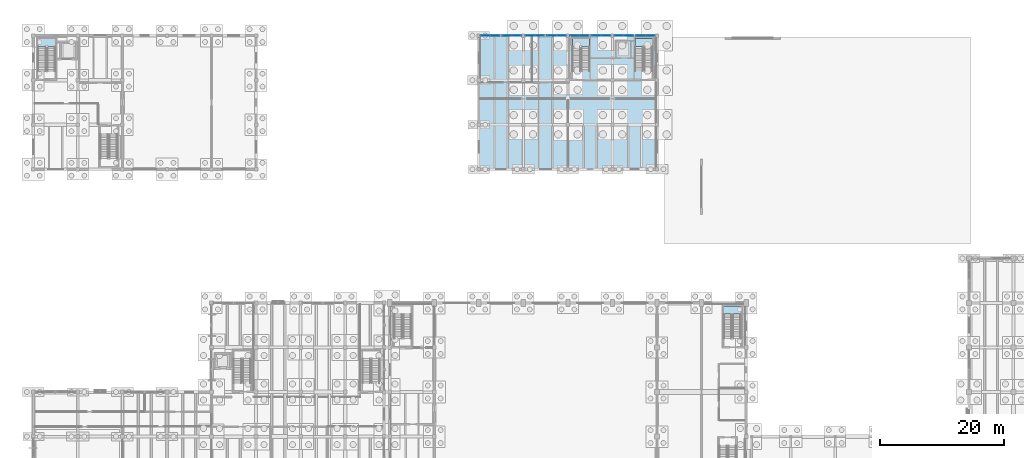
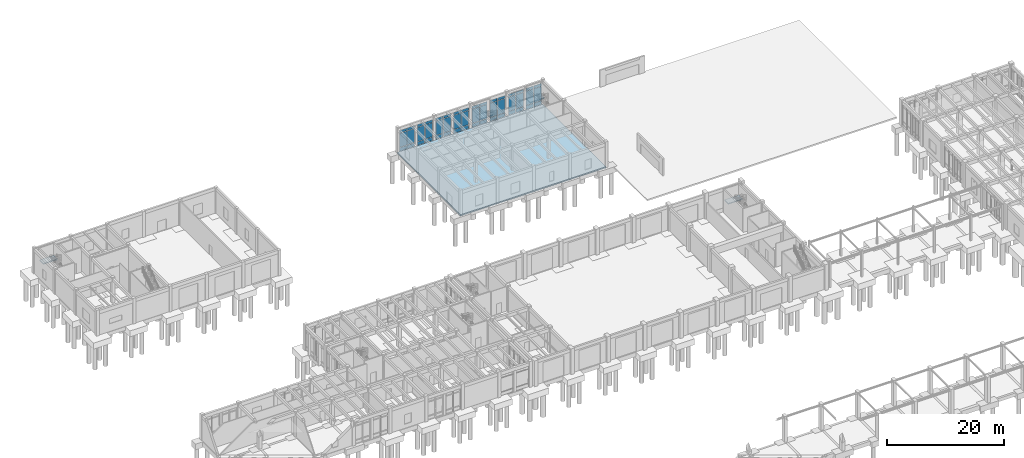
# One storey, part 55 of 93: 48 plates, 5 slabs, 12 elements without a shape of their own.
"""IFC4 building model written with IfcOpenShell, lengths in metres."""

from ifc_helpers import new_model, si_unit, direction, frame, origin, origin_2d, place, context, subcontext, project, spatial, polyline, rectangle, outline, extrude, material, layer, layer_set, type_object, element, aggregate, save


model = new_model("IFC4")

# Units and contexts
model_context = context("Model", 3, precision=1e-05, world=origin(), true_north=direction((0.0, 1.0)))
body_context = subcontext(model_context, "Body", "Model", "MODEL_VIEW")
ifc_project = project(units=[si_unit("LENGTHUNIT", "METRE"), si_unit("AREAUNIT", "SQUARE_METRE"), si_unit("VOLUMEUNIT", "CUBIC_METRE"), si_unit("PLANEANGLEUNIT", "RADIAN"), si_unit("MASSUNIT", "GRAM", prefix="KILO")], contexts=[model_context])

# Site, building, storey
site_placement = place(None, origin())
site = spatial("IfcSite", under=ifc_project, at=site_placement, CompositionType="ELEMENT")
building_placement = place(site_placement, origin())
building = spatial("IfcBuilding", under=site, at=building_placement, Name="Koriwan Promenade Central Fire Station", CompositionType="ELEMENT")
storey_placement = place(building_placement, origin())
storey = spatial("IfcBuildingStorey", under=building, at=storey_placement, Name="L00", CompositionType="ELEMENT", Elevation=0.0)

# Slab
ifc_material_1 = material(Name="Concrete C35/45", Category="concrete")
ifc_layer_1 = layer(ifc_material_1, 0.300048828125, Name="Concrete C35/45")
ifc_layer_set_1 = layer_set([ifc_layer_1], Name="Concrete C35/45")
slab_type_1 = type_object("IfcSlabType", Name="BaseSlab_300", PredefinedType="BASESLAB", material=ifc_layer_set_1)
slab_1_placement = place(storey_placement, frame((0.0, 0.0, -0.300048828125)))
element("IfcSlab", 1, at=slab_1_placement, inside=storey, type_object=slab_type_1, Name="V2 L00 structural slab 1", PredefinedType="BASESLAB", context=body_context, shape_type="SweptSolid", body=[
    extrude(outline(polyline([(100.800048828125, 93.60009765625), (100.800048828125, 115.199951171875), (72.0, 115.199951171875), (72.0, 93.60009765625), (100.800048828125, 93.60009765625)])), origin(), (0.0, 0.0, 1.0), 0.300048828125),
])

# Curtain wall, plates
ifc_material_2 = material(Name="Aluminium EN AW-6063-T6 and low-E glazing", Category="aluminium")
ifc_layer_2 = layer(ifc_material_2, 0.159912109375, Name="Aluminium EN AW-6063-T6 and low-E glazing")
ifc_layer_set_2 = layer_set([ifc_layer_2], Name="Aluminium EN AW-6063-T6 and low-E glazing")
curtain_wall_type_1 = type_object("IfcCurtainWallType", Name="CurtainWall_03_312x452", PredefinedType="USERDEFINED", material=ifc_layer_set_2)
curtain_wall_1_placement = place(storey_placement, origin())
curtain_wall_1 = element("IfcCurtainWall", 2, at=curtain_wall_1_placement, inside=storey, type_object=curtain_wall_type_1, Name="V2 L00 unitised curtain wall 013", ObjectType="UNITISED CURTAIN WALL", PredefinedType="USERDEFINED")
ifc_material_3 = material(Name="Low-E laminated double glazing", Category="glass")
ifc_layer_3 = layer(ifc_material_3, 0.028076171875, Name="Low-E laminated double glazing")
ifc_layer_set_3 = layer_set([ifc_layer_3], Name="Low-E laminated double glazing")
plate_type_1 = type_object("IfcPlateType", Name="CWPanel_28", PredefinedType="CURTAIN_PANEL", material=ifc_layer_set_3)
plate_1_placement = place(storey_placement, frame((99.7275390625, 115.199951171875, 0.06494140625), z_axis=(0.0, 0.0, 1.0), x_axis=(-1.0, 0.0, 0.0)))
plate_1 = element("IfcPlate", 3, at=plate_1_placement, type_object=plate_type_1, Name="CW-03 panel 1.1", PredefinedType="CURTAIN_PANEL", context=body_context, shape_type="SweptSolid", body=[
    extrude(rectangle(XDim=1.465087890625, YDim=0.028076171875, at=origin_2d()), origin(), (0.0, 0.0, 1.0), 0.75244140625),
])
plate_2_placement = place(storey_placement, frame((99.7275390625, 115.199951171875, 0.882568359375), z_axis=(0.0, 0.0, 1.0), x_axis=(-1.0, 0.0, 0.0)))
plate_2 = element("IfcPlate", 4, at=plate_2_placement, type_object=plate_type_1, Name="CW-03 panel 1.2", PredefinedType="CURTAIN_PANEL", context=body_context, shape_type="SweptSolid", body=[
    extrude(rectangle(XDim=1.465087890625, YDim=0.028076171875, at=origin_2d()), origin(), (0.0, 0.0, 1.0), 2.955078125),
])
plate_3_placement = place(storey_placement, frame((99.7275390625, 115.199951171875, 3.90234375), z_axis=(0.0, 0.0, 1.0), x_axis=(-1.0, 0.0, 0.0)))
plate_3 = element("IfcPlate", 5, at=plate_3_placement, type_object=plate_type_1, Name="CW-03 panel 1.3", PredefinedType="CURTAIN_PANEL", context=body_context, shape_type="SweptSolid", body=[
    extrude(rectangle(XDim=1.465087890625, YDim=0.028076171875, at=origin_2d()), origin(), (0.0, 0.0, 1.0), 0.552490234375),
])
plate_4_placement = place(storey_placement, frame((98.197509765625, 115.199951171875, 0.06494140625), z_axis=(0.0, 0.0, 1.0), x_axis=(-1.0, 0.0, 0.0)))
plate_4 = element("IfcPlate", 6, at=plate_4_placement, type_object=plate_type_1, Name="CW-03 panel 2.1", PredefinedType="CURTAIN_PANEL", context=body_context, shape_type="SweptSolid", body=[
    extrude(rectangle(XDim=1.465087890625, YDim=0.028076171875, at=origin_2d()), origin(), (0.0, 0.0, 1.0), 0.75244140625),
])
plate_5_placement = place(storey_placement, frame((98.197509765625, 115.199951171875, 0.882568359375), z_axis=(0.0, 0.0, 1.0), x_axis=(-1.0, 0.0, 0.0)))
plate_5 = element("IfcPlate", 7, at=plate_5_placement, type_object=plate_type_1, Name="CW-03 panel 2.2", PredefinedType="CURTAIN_PANEL", context=body_context, shape_type="SweptSolid", body=[
    extrude(rectangle(XDim=1.465087890625, YDim=0.028076171875, at=origin_2d()), origin(), (0.0, 0.0, 1.0), 2.955078125),
])
plate_6_placement = place(storey_placement, frame((98.197509765625, 115.199951171875, 3.90234375), z_axis=(0.0, 0.0, 1.0), x_axis=(-1.0, 0.0, 0.0)))
plate_6 = element("IfcPlate", 8, at=plate_6_placement, type_object=plate_type_1, Name="CW-03 panel 2.3", PredefinedType="CURTAIN_PANEL", context=body_context, shape_type="SweptSolid", body=[
    extrude(rectangle(XDim=1.465087890625, YDim=0.028076171875, at=origin_2d()), origin(), (0.0, 0.0, 1.0), 0.552490234375),
])
aggregate(curtain_wall_1, [plate_1, plate_2, plate_3, plate_4, plate_5, plate_6])

curtain_wall_2_placement = place(storey_placement, origin())
curtain_wall_2 = element("IfcCurtainWall", 9, at=curtain_wall_2_placement, inside=storey, type_object=curtain_wall_type_1, Name="V2 L00 unitised curtain wall 015", ObjectType="UNITISED CURTAIN WALL", PredefinedType="USERDEFINED")
plate_7_placement = place(storey_placement, frame((92.527587890625, 115.199951171875, 0.06494140625), z_axis=(0.0, 0.0, 1.0), x_axis=(-1.0, 0.0, 0.0)))
plate_7 = element("IfcPlate", 10, at=plate_7_placement, type_object=plate_type_1, Name="CW-03 panel 1.1", PredefinedType="CURTAIN_PANEL", context=body_context, shape_type="SweptSolid", body=[
    extrude(rectangle(XDim=1.465087890625, YDim=0.028076171875, at=origin_2d()), origin(), (0.0, 0.0, 1.0), 0.75244140625),
])
plate_8_placement = place(storey_placement, frame((92.527587890625, 115.199951171875, 0.882568359375), z_axis=(0.0, 0.0, 1.0), x_axis=(-1.0, 0.0, 0.0)))
plate_8 = element("IfcPlate", 11, at=plate_8_placement, type_object=plate_type_1, Name="CW-03 panel 1.2", PredefinedType="CURTAIN_PANEL", context=body_context, shape_type="SweptSolid", body=[
    extrude(rectangle(XDim=1.465087890625, YDim=0.028076171875, at=origin_2d()), origin(), (0.0, 0.0, 1.0), 2.955078125),
])
plate_9_placement = place(storey_placement, frame((92.527587890625, 115.199951171875, 3.90234375), z_axis=(0.0, 0.0, 1.0), x_axis=(-1.0, 0.0, 0.0)))
plate_9 = element("IfcPlate", 12, at=plate_9_placement, type_object=plate_type_1, Name="CW-03 panel 1.3", PredefinedType="CURTAIN_PANEL", context=body_context, shape_type="SweptSolid", body=[
    extrude(rectangle(XDim=1.465087890625, YDim=0.028076171875, at=origin_2d()), origin(), (0.0, 0.0, 1.0), 0.552490234375),
])
plate_10_placement = place(storey_placement, frame((90.99755859375, 115.199951171875, 0.06494140625), z_axis=(0.0, 0.0, 1.0), x_axis=(-1.0, 0.0, 0.0)))
plate_10 = element("IfcPlate", 13, at=plate_10_placement, type_object=plate_type_1, Name="CW-03 panel 2.1", PredefinedType="CURTAIN_PANEL", context=body_context, shape_type="SweptSolid", body=[
    extrude(rectangle(XDim=1.465087890625, YDim=0.028076171875, at=origin_2d()), origin(), (0.0, 0.0, 1.0), 0.75244140625),
])
plate_11_placement = place(storey_placement, frame((90.99755859375, 115.199951171875, 0.882568359375), z_axis=(0.0, 0.0, 1.0), x_axis=(-1.0, 0.0, 0.0)))
plate_11 = element("IfcPlate", 14, at=plate_11_placement, type_object=plate_type_1, Name="CW-03 panel 2.2", PredefinedType="CURTAIN_PANEL", context=body_context, shape_type="SweptSolid", body=[
    extrude(rectangle(XDim=1.465087890625, YDim=0.028076171875, at=origin_2d()), origin(), (0.0, 0.0, 1.0), 2.955078125),
])
plate_12_placement = place(storey_placement, frame((90.99755859375, 115.199951171875, 3.90234375), z_axis=(0.0, 0.0, 1.0), x_axis=(-1.0, 0.0, 0.0)))
plate_12 = element("IfcPlate", 15, at=plate_12_placement, type_object=plate_type_1, Name="CW-03 panel 2.3", PredefinedType="CURTAIN_PANEL", context=body_context, shape_type="SweptSolid", body=[
    extrude(rectangle(XDim=1.465087890625, YDim=0.028076171875, at=origin_2d()), origin(), (0.0, 0.0, 1.0), 0.552490234375),
])
aggregate(curtain_wall_2, [plate_7, plate_8, plate_9, plate_10, plate_11, plate_12])

curtain_wall_3_placement = place(storey_placement, origin())
curtain_wall_3 = element("IfcCurtainWall", 16, at=curtain_wall_3_placement, inside=storey, type_object=curtain_wall_type_1, Name="V2 L00 unitised curtain wall 017", ObjectType="UNITISED CURTAIN WALL", PredefinedType="USERDEFINED")
plate_13_placement = place(storey_placement, frame((85.327392578125, 115.199951171875, 0.06494140625), z_axis=(0.0, 0.0, 1.0), x_axis=(-1.0, 0.0, 0.0)))
plate_13 = element("IfcPlate", 17, at=plate_13_placement, type_object=plate_type_1, Name="CW-03 panel 1.1", PredefinedType="CURTAIN_PANEL", context=body_context, shape_type="SweptSolid", body=[
    extrude(rectangle(XDim=1.465087890625, YDim=0.028076171875, at=origin_2d()), origin(), (0.0, 0.0, 1.0), 0.75244140625),
])
plate_14_placement = place(storey_placement, frame((85.327392578125, 115.199951171875, 0.882568359375), z_axis=(0.0, 0.0, 1.0), x_axis=(-1.0, 0.0, 0.0)))
plate_14 = element("IfcPlate", 18, at=plate_14_placement, type_object=plate_type_1, Name="CW-03 panel 1.2", PredefinedType="CURTAIN_PANEL", context=body_context, shape_type="SweptSolid", body=[
    extrude(rectangle(XDim=1.465087890625, YDim=0.028076171875, at=origin_2d()), origin(), (0.0, 0.0, 1.0), 2.955078125),
])
plate_15_placement = place(storey_placement, frame((85.327392578125, 115.199951171875, 3.90234375), z_axis=(0.0, 0.0, 1.0), x_axis=(-1.0, 0.0, 0.0)))
plate_15 = element("IfcPlate", 19, at=plate_15_placement, type_object=plate_type_1, Name="CW-03 panel 1.3", PredefinedType="CURTAIN_PANEL", context=body_context, shape_type="SweptSolid", body=[
    extrude(rectangle(XDim=1.465087890625, YDim=0.028076171875, at=origin_2d()), origin(), (0.0, 0.0, 1.0), 0.552490234375),
])
plate_16_placement = place(storey_placement, frame((83.797607421875, 115.199951171875, 0.06494140625), z_axis=(0.0, 0.0, 1.0), x_axis=(-1.0, 0.0, 0.0)))
plate_16 = element("IfcPlate", 20, at=plate_16_placement, type_object=plate_type_1, Name="CW-03 panel 2.1", PredefinedType="CURTAIN_PANEL", context=body_context, shape_type="SweptSolid", body=[
    extrude(rectangle(XDim=1.465087890625, YDim=0.028076171875, at=origin_2d()), origin(), (0.0, 0.0, 1.0), 0.75244140625),
])
plate_17_placement = place(storey_placement, frame((83.797607421875, 115.199951171875, 0.882568359375), z_axis=(0.0, 0.0, 1.0), x_axis=(-1.0, 0.0, 0.0)))
plate_17 = element("IfcPlate", 21, at=plate_17_placement, type_object=plate_type_1, Name="CW-03 panel 2.2", PredefinedType="CURTAIN_PANEL", context=body_context, shape_type="SweptSolid", body=[
    extrude(rectangle(XDim=1.465087890625, YDim=0.028076171875, at=origin_2d()), origin(), (0.0, 0.0, 1.0), 2.955078125),
])
plate_18_placement = place(storey_placement, frame((83.797607421875, 115.199951171875, 3.90234375), z_axis=(0.0, 0.0, 1.0), x_axis=(-1.0, 0.0, 0.0)))
plate_18 = element("IfcPlate", 22, at=plate_18_placement, type_object=plate_type_1, Name="CW-03 panel 2.3", PredefinedType="CURTAIN_PANEL", context=body_context, shape_type="SweptSolid", body=[
    extrude(rectangle(XDim=1.465087890625, YDim=0.028076171875, at=origin_2d()), origin(), (0.0, 0.0, 1.0), 0.552490234375),
])
aggregate(curtain_wall_3, [plate_13, plate_14, plate_15, plate_16, plate_17, plate_18])

ifc_layer_4 = layer(ifc_material_2, 0.159912109375, Name="Aluminium EN AW-6063-T6 and low-E glazing")
ifc_layer_set_4 = layer_set([ifc_layer_4], Name="Aluminium EN AW-6063-T6 and low-E glazing")
curtain_wall_type_2 = type_object("IfcCurtainWallType", Name="CurtainWall_05_312x450", PredefinedType="USERDEFINED", material=ifc_layer_set_4)
curtain_wall_4_placement = place(storey_placement, origin())
curtain_wall_4 = element("IfcCurtainWall", 23, at=curtain_wall_4_placement, inside=storey, type_object=curtain_wall_type_2, Name="V2 L00 unitised curtain wall 019", ObjectType="UNITISED CURTAIN WALL", PredefinedType="USERDEFINED")
plate_19_placement = place(storey_placement, frame((78.12744140625, 115.199951171875, 0.06494140625), z_axis=(0.0, 0.0, 1.0), x_axis=(-1.0, 0.0, 0.0)))
plate_19 = element("IfcPlate", 24, at=plate_19_placement, type_object=plate_type_1, Name="CW-05 panel 1.1", PredefinedType="CURTAIN_PANEL", context=body_context, shape_type="SweptSolid", body=[
    extrude(rectangle(XDim=1.465087890625, YDim=0.028076171875, at=origin_2d()), origin(), (0.0, 0.0, 1.0), 0.75244140625),
])
plate_20_placement = place(storey_placement, frame((78.12744140625, 115.199951171875, 0.882568359375), z_axis=(0.0, 0.0, 1.0), x_axis=(-1.0, 0.0, 0.0)))
plate_20 = element("IfcPlate", 25, at=plate_20_placement, type_object=plate_type_1, Name="CW-05 panel 1.2", PredefinedType="CURTAIN_PANEL", context=body_context, shape_type="SweptSolid", body=[
    extrude(rectangle(XDim=1.465087890625, YDim=0.028076171875, at=origin_2d()), origin(), (0.0, 0.0, 1.0), 2.93505859375),
])
plate_21_placement = place(storey_placement, frame((78.12744140625, 115.199951171875, 3.88232421875), z_axis=(0.0, 0.0, 1.0), x_axis=(-1.0, 0.0, 0.0)))
plate_21 = element("IfcPlate", 26, at=plate_21_placement, type_object=plate_type_1, Name="CW-05 panel 1.3", PredefinedType="CURTAIN_PANEL", context=body_context, shape_type="SweptSolid", body=[
    extrude(rectangle(XDim=1.465087890625, YDim=0.028076171875, at=origin_2d()), origin(), (0.0, 0.0, 1.0), 0.552490234375),
])
plate_22_placement = place(storey_placement, frame((76.597412109375, 115.199951171875, 0.06494140625), z_axis=(0.0, 0.0, 1.0), x_axis=(-1.0, 0.0, 0.0)))
plate_22 = element("IfcPlate", 27, at=plate_22_placement, type_object=plate_type_1, Name="CW-05 panel 2.1", PredefinedType="CURTAIN_PANEL", context=body_context, shape_type="SweptSolid", body=[
    extrude(rectangle(XDim=1.465087890625, YDim=0.028076171875, at=origin_2d()), origin(), (0.0, 0.0, 1.0), 0.75244140625),
])
plate_23_placement = place(storey_placement, frame((76.597412109375, 115.199951171875, 0.882568359375), z_axis=(0.0, 0.0, 1.0), x_axis=(-1.0, 0.0, 0.0)))
plate_23 = element("IfcPlate", 28, at=plate_23_placement, type_object=plate_type_1, Name="CW-05 panel 2.2", PredefinedType="CURTAIN_PANEL", context=body_context, shape_type="SweptSolid", body=[
    extrude(rectangle(XDim=1.465087890625, YDim=0.028076171875, at=origin_2d()), origin(), (0.0, 0.0, 1.0), 2.93505859375),
])
plate_24_placement = place(storey_placement, frame((76.597412109375, 115.199951171875, 3.88232421875), z_axis=(0.0, 0.0, 1.0), x_axis=(-1.0, 0.0, 0.0)))
plate_24 = element("IfcPlate", 29, at=plate_24_placement, type_object=plate_type_1, Name="CW-05 panel 2.3", PredefinedType="CURTAIN_PANEL", context=body_context, shape_type="SweptSolid", body=[
    extrude(rectangle(XDim=1.465087890625, YDim=0.028076171875, at=origin_2d()), origin(), (0.0, 0.0, 1.0), 0.552490234375),
])
aggregate(curtain_wall_4, [plate_19, plate_20, plate_21, plate_22, plate_23, plate_24])

ifc_layer_5 = layer(ifc_material_2, 0.159912109375, Name="Aluminium EN AW-6063-T6 and low-E glazing")
ifc_layer_set_5 = layer_set([ifc_layer_5], Name="Aluminium EN AW-6063-T6 and low-E glazing")
curtain_wall_type_3 = type_object("IfcCurtainWallType", Name="CurtainWall_04_312x452", PredefinedType="USERDEFINED", material=ifc_layer_set_5)
curtain_wall_5_placement = place(storey_placement, origin())
curtain_wall_5 = element("IfcCurtainWall", 30, at=curtain_wall_5_placement, inside=storey, type_object=curtain_wall_type_3, Name="V2 L00 unitised curtain wall 014", ObjectType="UNITISED CURTAIN WALL", PredefinedType="USERDEFINED")
ifc_material_4 = material(Name="Solar-control low-E acoustic glazing", Category="glass")
ifc_layer_6 = layer(ifc_material_4, 0.031982421875, Name="Solar-control low-E acoustic glazing")
ifc_layer_set_6 = layer_set([ifc_layer_6], Name="Solar-control low-E acoustic glazing")
plate_type_2 = type_object("IfcPlateType", Name="CWPanel_32", PredefinedType="CURTAIN_PANEL", material=ifc_layer_set_6)
plate_25_placement = place(storey_placement, frame((96.199951171875, 115.199951171875, 0.0751953125), z_axis=(0.0, 0.0, 1.0), x_axis=(-1.0, 0.0, 0.0)))
plate_25 = element("IfcPlate", 31, at=plate_25_placement, type_object=plate_type_2, Name="CW-04 panel 1.1", PredefinedType="CURTAIN_PANEL", context=body_context, shape_type="SweptSolid", body=[
    extrude(rectangle(XDim=1.449951171875, YDim=0.031982421875, at=origin_2d()), origin(), (0.0, 0.0, 1.0), 0.737548828125),
])
plate_26_placement = place(storey_placement, frame((96.199951171875, 115.199951171875, 0.8876953125), z_axis=(0.0, 0.0, 1.0), x_axis=(-1.0, 0.0, 0.0)))
plate_26 = element("IfcPlate", 32, at=plate_26_placement, type_object=plate_type_2, Name="CW-04 panel 1.2", PredefinedType="CURTAIN_PANEL", context=body_context, shape_type="SweptSolid", body=[
    extrude(rectangle(XDim=1.449951171875, YDim=0.031982421875, at=origin_2d()), origin(), (0.0, 0.0, 1.0), 2.945068359375),
])
plate_27_placement = place(storey_placement, frame((96.199951171875, 115.199951171875, 3.907470703125), z_axis=(0.0, 0.0, 1.0), x_axis=(-1.0, 0.0, 0.0)))
plate_27 = element("IfcPlate", 33, at=plate_27_placement, type_object=plate_type_2, Name="CW-04 panel 1.3", PredefinedType="CURTAIN_PANEL", context=body_context, shape_type="SweptSolid", body=[
    extrude(rectangle(XDim=1.449951171875, YDim=0.031982421875, at=origin_2d()), origin(), (0.0, 0.0, 1.0), 0.53759765625),
])
plate_28_placement = place(storey_placement, frame((94.675048828125, 115.199951171875, 0.0751953125), z_axis=(0.0, 0.0, 1.0), x_axis=(-1.0, 0.0, 0.0)))
plate_28 = element("IfcPlate", 34, at=plate_28_placement, type_object=plate_type_2, Name="CW-04 panel 2.1", PredefinedType="CURTAIN_PANEL", context=body_context, shape_type="SweptSolid", body=[
    extrude(rectangle(XDim=1.449951171875, YDim=0.031982421875, at=origin_2d()), origin(), (0.0, 0.0, 1.0), 0.737548828125),
])
plate_29_placement = place(storey_placement, frame((94.675048828125, 115.199951171875, 0.8876953125), z_axis=(0.0, 0.0, 1.0), x_axis=(-1.0, 0.0, 0.0)))
plate_29 = element("IfcPlate", 35, at=plate_29_placement, type_object=plate_type_2, Name="CW-04 panel 2.2", PredefinedType="CURTAIN_PANEL", context=body_context, shape_type="SweptSolid", body=[
    extrude(rectangle(XDim=1.449951171875, YDim=0.031982421875, at=origin_2d()), origin(), (0.0, 0.0, 1.0), 2.945068359375),
])
plate_30_placement = place(storey_placement, frame((94.675048828125, 115.199951171875, 3.907470703125), z_axis=(0.0, 0.0, 1.0), x_axis=(-1.0, 0.0, 0.0)))
plate_30 = element("IfcPlate", 36, at=plate_30_placement, type_object=plate_type_2, Name="CW-04 panel 2.3", PredefinedType="CURTAIN_PANEL", context=body_context, shape_type="SweptSolid", body=[
    extrude(rectangle(XDim=1.449951171875, YDim=0.031982421875, at=origin_2d()), origin(), (0.0, 0.0, 1.0), 0.53759765625),
])
aggregate(curtain_wall_5, [plate_25, plate_26, plate_27, plate_28, plate_29, plate_30])

curtain_wall_6_placement = place(storey_placement, origin())
curtain_wall_6 = element("IfcCurtainWall", 37, at=curtain_wall_6_placement, inside=storey, type_object=curtain_wall_type_3, Name="V2 L00 unitised curtain wall 016", ObjectType="UNITISED CURTAIN WALL", PredefinedType="USERDEFINED")
plate_31_placement = place(storey_placement, frame((89.0, 115.199951171875, 0.0751953125), z_axis=(0.0, 0.0, 1.0), x_axis=(-1.0, 0.0, 0.0)))
plate_31 = element("IfcPlate", 38, at=plate_31_placement, type_object=plate_type_2, Name="CW-04 panel 1.1", PredefinedType="CURTAIN_PANEL", context=body_context, shape_type="SweptSolid", body=[
    extrude(rectangle(XDim=1.449951171875, YDim=0.031982421875, at=origin_2d()), origin(), (0.0, 0.0, 1.0), 0.737548828125),
])
plate_32_placement = place(storey_placement, frame((89.0, 115.199951171875, 0.8876953125), z_axis=(0.0, 0.0, 1.0), x_axis=(-1.0, 0.0, 0.0)))
plate_32 = element("IfcPlate", 39, at=plate_32_placement, type_object=plate_type_2, Name="CW-04 panel 1.2", PredefinedType="CURTAIN_PANEL", context=body_context, shape_type="SweptSolid", body=[
    extrude(rectangle(XDim=1.449951171875, YDim=0.031982421875, at=origin_2d()), origin(), (0.0, 0.0, 1.0), 2.945068359375),
])
plate_33_placement = place(storey_placement, frame((89.0, 115.199951171875, 3.907470703125), z_axis=(0.0, 0.0, 1.0), x_axis=(-1.0, 0.0, 0.0)))
plate_33 = element("IfcPlate", 40, at=plate_33_placement, type_object=plate_type_2, Name="CW-04 panel 1.3", PredefinedType="CURTAIN_PANEL", context=body_context, shape_type="SweptSolid", body=[
    extrude(rectangle(XDim=1.449951171875, YDim=0.031982421875, at=origin_2d()), origin(), (0.0, 0.0, 1.0), 0.53759765625),
])
plate_34_placement = place(storey_placement, frame((87.47509765625, 115.199951171875, 0.0751953125), z_axis=(0.0, 0.0, 1.0), x_axis=(-1.0, 0.0, 0.0)))
plate_34 = element("IfcPlate", 41, at=plate_34_placement, type_object=plate_type_2, Name="CW-04 panel 2.1", PredefinedType="CURTAIN_PANEL", context=body_context, shape_type="SweptSolid", body=[
    extrude(rectangle(XDim=1.449951171875, YDim=0.031982421875, at=origin_2d()), origin(), (0.0, 0.0, 1.0), 0.737548828125),
])
plate_35_placement = place(storey_placement, frame((87.47509765625, 115.199951171875, 0.8876953125), z_axis=(0.0, 0.0, 1.0), x_axis=(-1.0, 0.0, 0.0)))
plate_35 = element("IfcPlate", 42, at=plate_35_placement, type_object=plate_type_2, Name="CW-04 panel 2.2", PredefinedType="CURTAIN_PANEL", context=body_context, shape_type="SweptSolid", body=[
    extrude(rectangle(XDim=1.449951171875, YDim=0.031982421875, at=origin_2d()), origin(), (0.0, 0.0, 1.0), 2.945068359375),
])
plate_36_placement = place(storey_placement, frame((87.47509765625, 115.199951171875, 3.907470703125), z_axis=(0.0, 0.0, 1.0), x_axis=(-1.0, 0.0, 0.0)))
plate_36 = element("IfcPlate", 43, at=plate_36_placement, type_object=plate_type_2, Name="CW-04 panel 2.3", PredefinedType="CURTAIN_PANEL", context=body_context, shape_type="SweptSolid", body=[
    extrude(rectangle(XDim=1.449951171875, YDim=0.031982421875, at=origin_2d()), origin(), (0.0, 0.0, 1.0), 0.53759765625),
])
aggregate(curtain_wall_6, [plate_31, plate_32, plate_33, plate_34, plate_35, plate_36])

curtain_wall_7_placement = place(storey_placement, origin())
curtain_wall_7 = element("IfcCurtainWall", 44, at=curtain_wall_7_placement, inside=storey, type_object=curtain_wall_type_3, Name="V2 L00 unitised curtain wall 018", ObjectType="UNITISED CURTAIN WALL", PredefinedType="USERDEFINED")
plate_37_placement = place(storey_placement, frame((81.800048828125, 115.199951171875, 0.0751953125), z_axis=(0.0, 0.0, 1.0), x_axis=(-1.0, 0.0, 0.0)))
plate_37 = element("IfcPlate", 45, at=plate_37_placement, type_object=plate_type_2, Name="CW-04 panel 1.1", PredefinedType="CURTAIN_PANEL", context=body_context, shape_type="SweptSolid", body=[
    extrude(rectangle(XDim=1.449951171875, YDim=0.031982421875, at=origin_2d()), origin(), (0.0, 0.0, 1.0), 0.737548828125),
])
plate_38_placement = place(storey_placement, frame((81.800048828125, 115.199951171875, 0.8876953125), z_axis=(0.0, 0.0, 1.0), x_axis=(-1.0, 0.0, 0.0)))
plate_38 = element("IfcPlate", 46, at=plate_38_placement, type_object=plate_type_2, Name="CW-04 panel 1.2", PredefinedType="CURTAIN_PANEL", context=body_context, shape_type="SweptSolid", body=[
    extrude(rectangle(XDim=1.449951171875, YDim=0.031982421875, at=origin_2d()), origin(), (0.0, 0.0, 1.0), 2.945068359375),
])
plate_39_placement = place(storey_placement, frame((81.800048828125, 115.199951171875, 3.907470703125), z_axis=(0.0, 0.0, 1.0), x_axis=(-1.0, 0.0, 0.0)))
plate_39 = element("IfcPlate", 47, at=plate_39_placement, type_object=plate_type_2, Name="CW-04 panel 1.3", PredefinedType="CURTAIN_PANEL", context=body_context, shape_type="SweptSolid", body=[
    extrude(rectangle(XDim=1.449951171875, YDim=0.031982421875, at=origin_2d()), origin(), (0.0, 0.0, 1.0), 0.53759765625),
])
plate_40_placement = place(storey_placement, frame((80.27490234375, 115.199951171875, 0.0751953125), z_axis=(0.0, 0.0, 1.0), x_axis=(-1.0, 0.0, 0.0)))
plate_40 = element("IfcPlate", 48, at=plate_40_placement, type_object=plate_type_2, Name="CW-04 panel 2.1", PredefinedType="CURTAIN_PANEL", context=body_context, shape_type="SweptSolid", body=[
    extrude(rectangle(XDim=1.449951171875, YDim=0.031982421875, at=origin_2d()), origin(), (0.0, 0.0, 1.0), 0.737548828125),
])
plate_41_placement = place(storey_placement, frame((80.27490234375, 115.199951171875, 0.8876953125), z_axis=(0.0, 0.0, 1.0), x_axis=(-1.0, 0.0, 0.0)))
plate_41 = element("IfcPlate", 49, at=plate_41_placement, type_object=plate_type_2, Name="CW-04 panel 2.2", PredefinedType="CURTAIN_PANEL", context=body_context, shape_type="SweptSolid", body=[
    extrude(rectangle(XDim=1.449951171875, YDim=0.031982421875, at=origin_2d()), origin(), (0.0, 0.0, 1.0), 2.945068359375),
])
plate_42_placement = place(storey_placement, frame((80.27490234375, 115.199951171875, 3.907470703125), z_axis=(0.0, 0.0, 1.0), x_axis=(-1.0, 0.0, 0.0)))
plate_42 = element("IfcPlate", 50, at=plate_42_placement, type_object=plate_type_2, Name="CW-04 panel 2.3", PredefinedType="CURTAIN_PANEL", context=body_context, shape_type="SweptSolid", body=[
    extrude(rectangle(XDim=1.449951171875, YDim=0.031982421875, at=origin_2d()), origin(), (0.0, 0.0, 1.0), 0.53759765625),
])
aggregate(curtain_wall_7, [plate_37, plate_38, plate_39, plate_40, plate_41, plate_42])

ifc_layer_7 = layer(ifc_material_2, 0.159912109375, Name="Aluminium EN AW-6063-T6 and low-E glazing")
ifc_layer_set_7 = layer_set([ifc_layer_7], Name="Aluminium EN AW-6063-T6 and low-E glazing")
curtain_wall_type_4 = type_object("IfcCurtainWallType", Name="CurtainWall_06_312x450", PredefinedType="USERDEFINED", material=ifc_layer_set_7)
curtain_wall_8_placement = place(storey_placement, origin())
curtain_wall_8 = element("IfcCurtainWall", 51, at=curtain_wall_8_placement, inside=storey, type_object=curtain_wall_type_4, Name="V2 L00 unitised curtain wall 020", ObjectType="UNITISED CURTAIN WALL", PredefinedType="USERDEFINED")
plate_43_placement = place(storey_placement, frame((74.60009765625, 115.199951171875, 0.0751953125), z_axis=(0.0, 0.0, 1.0), x_axis=(-1.0, 0.0, 0.0)))
plate_43 = element("IfcPlate", 52, at=plate_43_placement, type_object=plate_type_2, Name="CW-06 panel 1.1", PredefinedType="CURTAIN_PANEL", context=body_context, shape_type="SweptSolid", body=[
    extrude(rectangle(XDim=1.449951171875, YDim=0.031982421875, at=origin_2d()), origin(), (0.0, 0.0, 1.0), 0.737548828125),
])
plate_44_placement = place(storey_placement, frame((74.60009765625, 115.199951171875, 0.8876953125), z_axis=(0.0, 0.0, 1.0), x_axis=(-1.0, 0.0, 0.0)))
plate_44 = element("IfcPlate", 53, at=plate_44_placement, type_object=plate_type_2, Name="CW-06 panel 1.2", PredefinedType="CURTAIN_PANEL", context=body_context, shape_type="SweptSolid", body=[
    extrude(rectangle(XDim=1.449951171875, YDim=0.031982421875, at=origin_2d()), origin(), (0.0, 0.0, 1.0), 2.925048828125),
])
plate_45_placement = place(storey_placement, frame((74.60009765625, 115.199951171875, 3.887451171875), z_axis=(0.0, 0.0, 1.0), x_axis=(-1.0, 0.0, 0.0)))
plate_45 = element("IfcPlate", 54, at=plate_45_placement, type_object=plate_type_2, Name="CW-06 panel 1.3", PredefinedType="CURTAIN_PANEL", context=body_context, shape_type="SweptSolid", body=[
    extrude(rectangle(XDim=1.449951171875, YDim=0.031982421875, at=origin_2d()), origin(), (0.0, 0.0, 1.0), 0.53759765625),
])
plate_46_placement = place(storey_placement, frame((73.074951171875, 115.199951171875, 0.0751953125), z_axis=(0.0, 0.0, 1.0), x_axis=(-1.0, 0.0, 0.0)))
plate_46 = element("IfcPlate", 55, at=plate_46_placement, type_object=plate_type_2, Name="CW-06 panel 2.1", PredefinedType="CURTAIN_PANEL", context=body_context, shape_type="SweptSolid", body=[
    extrude(rectangle(XDim=1.449951171875, YDim=0.031982421875, at=origin_2d()), origin(), (0.0, 0.0, 1.0), 0.737548828125),
])
plate_47_placement = place(storey_placement, frame((73.074951171875, 115.199951171875, 0.8876953125), z_axis=(0.0, 0.0, 1.0), x_axis=(-1.0, 0.0, 0.0)))
plate_47 = element("IfcPlate", 56, at=plate_47_placement, type_object=plate_type_2, Name="CW-06 panel 2.2", PredefinedType="CURTAIN_PANEL", context=body_context, shape_type="SweptSolid", body=[
    extrude(rectangle(XDim=1.449951171875, YDim=0.031982421875, at=origin_2d()), origin(), (0.0, 0.0, 1.0), 2.925048828125),
])
plate_48_placement = place(storey_placement, frame((73.074951171875, 115.199951171875, 3.887451171875), z_axis=(0.0, 0.0, 1.0), x_axis=(-1.0, 0.0, 0.0)))
plate_48 = element("IfcPlate", 57, at=plate_48_placement, type_object=plate_type_2, Name="CW-06 panel 2.3", PredefinedType="CURTAIN_PANEL", context=body_context, shape_type="SweptSolid", body=[
    extrude(rectangle(XDim=1.449951171875, YDim=0.031982421875, at=origin_2d()), origin(), (0.0, 0.0, 1.0), 0.53759765625),
])
aggregate(curtain_wall_8, [plate_43, plate_44, plate_45, plate_46, plate_47, plate_48])

# Stair, slab
stair_type_1 = type_object("IfcStairType", Name="Stair_HALF_30R_1320", PredefinedType="HALF_TURN_STAIR", material=ifc_material_1)
stair_1_placement = place(storey_placement, origin())
stair_1 = element("IfcStair", 58, at=stair_1_placement, inside=storey, type_object=stair_type_1, Name="L00 Protected Stair ST02", PredefinedType="HALF_TURN_STAIR")
ifc_layer_8 = layer(ifc_material_1, 0.199951171875, Name="Concrete C35/45")
ifc_layer_set_8 = layer_set([ifc_layer_8], Name="Concrete C35/45")
slab_type_2 = type_object("IfcSlabType", Name="StairLanding_200", PredefinedType="LANDING", material=ifc_layer_set_8)
slab_2_placement = place(storey_placement, frame((0.0, 0.0, 2.5)))
slab_2 = element("IfcSlab", 59, at=slab_2_placement, type_object=slab_type_2, Name="ST02 landing 1", PredefinedType="LANDING", context=body_context, shape_type="SweptSolid", body=[
    extrude(outline(polyline([(114.35009765625, 70.18994140625), (114.35009765625, 71.510009765625), (111.56005859375, 71.510009765625), (111.56005859375, 70.18994140625), (114.35009765625, 70.18994140625)])), origin(), (0.0, 0.0, 1.0), 0.199951171875),
])
aggregate(stair_1, [slab_2])

stair_type_2 = type_object("IfcStairType", Name="Stair_HALF_30R_1340", PredefinedType="HALF_TURN_STAIR", material=ifc_material_1)
stair_2_placement = place(storey_placement, origin())
stair_2 = element("IfcStair", 60, at=stair_2_placement, inside=storey, type_object=stair_type_2, Name="L00 Protected Stair ST04", PredefinedType="HALF_TURN_STAIR")
slab_3_placement = place(storey_placement, frame((0.0, 0.0, 2.5)))
slab_3 = element("IfcSlab", 61, at=slab_3_placement, type_object=slab_type_2, Name="ST04 landing 1", PredefinedType="LANDING", context=body_context, shape_type="SweptSolid", body=[
    extrude(outline(polyline([(100.050048828125, 113.409912109375), (100.050048828125, 114.75), (97.219970703125, 114.75), (97.219970703125, 113.409912109375), (100.050048828125, 113.409912109375)])), origin(), (0.0, 0.0, 1.0), 0.199951171875),
])
aggregate(stair_2, [slab_3])

stair_3_placement = place(storey_placement, origin())
stair_3 = element("IfcStair", 62, at=stair_3_placement, inside=storey, type_object=stair_type_1, Name="L00 Protected Stair ST09", PredefinedType="HALF_TURN_STAIR")
slab_4_placement = place(storey_placement, frame((0.0, 0.0, 2.5)))
slab_4 = element("IfcSlab", 63, at=slab_4_placement, type_object=slab_type_2, Name="ST09 landing 1", PredefinedType="LANDING", context=body_context, shape_type="SweptSolid", body=[
    extrude(outline(polyline([(89.89990234375, 113.389892578125), (89.89990234375, 114.7099609375), (87.110107421875, 114.7099609375), (87.110107421875, 113.389892578125), (89.89990234375, 113.389892578125)])), origin(), (0.0, 0.0, 1.0), 0.199951171875),
])
aggregate(stair_3, [slab_4])

stair_4_placement = place(storey_placement, origin())
stair_4 = element("IfcStair", 64, at=stair_4_placement, inside=storey, type_object=stair_type_1, Name="L00 Protected Stair ST32", PredefinedType="HALF_TURN_STAIR")
slab_5_placement = place(storey_placement, frame((0.0, 0.0, 2.5)))
slab_5 = element("IfcSlab", 65, at=slab_5_placement, type_object=slab_type_2, Name="ST32 landing 1", PredefinedType="LANDING", context=body_context, shape_type="SweptSolid", body=[
    extrude(outline(polyline([(3.550048828125, 113.389892578125), (3.550048828125, 114.7099609375), (0.760009765625, 114.7099609375), (0.760009765625, 113.389892578125), (3.550048828125, 113.389892578125)])), origin(), (0.0, 0.0, 1.0), 0.199951171875),
])
aggregate(stair_4, [slab_5])

save(model, "model.ifc")
